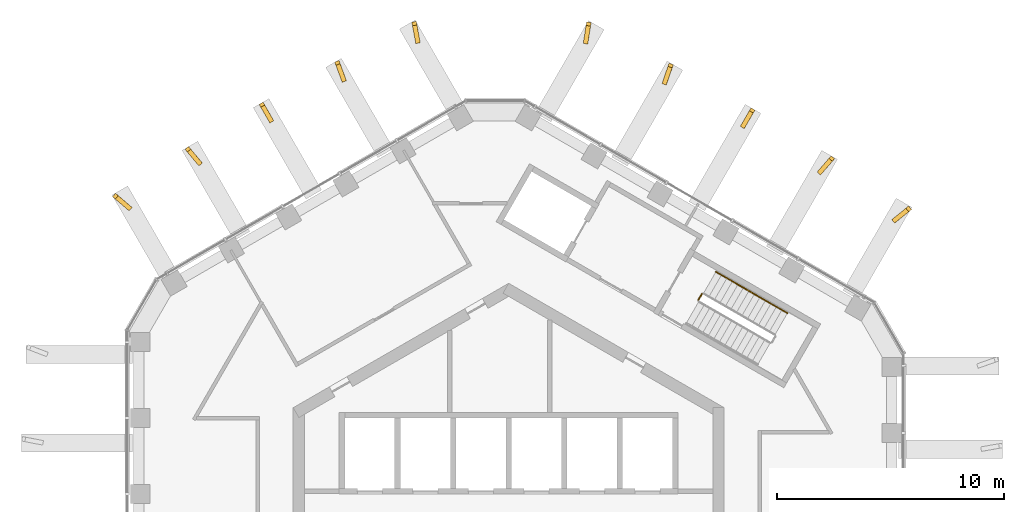
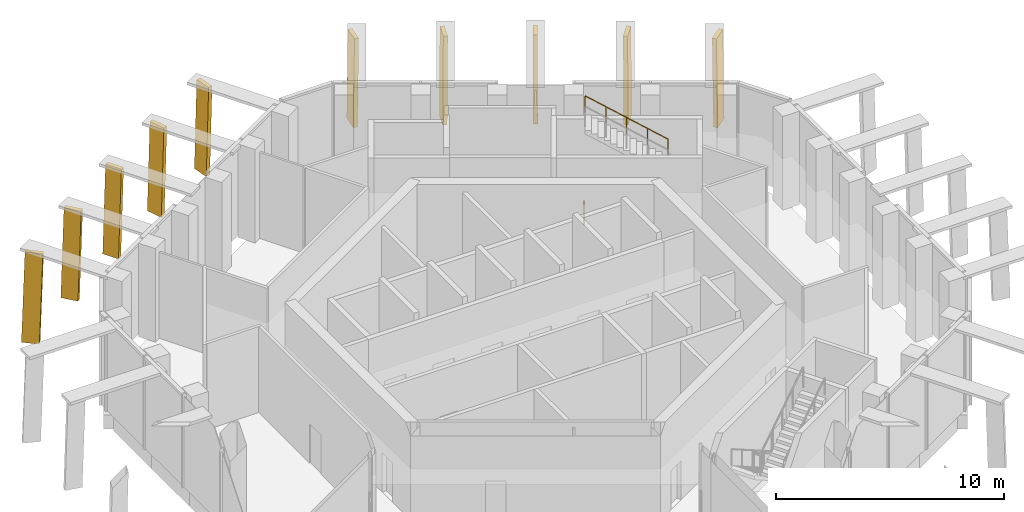
# One storey, part 17 of 17: 10 shading devices, 3 railings.
"""IFC4 building model written with IfcOpenShell, lengths in metres."""

from ifc_helpers import new_model, si_unit, direction, frame, origin, origin_2d, place, context, subcontext, project, spatial, polyline, circle, outline, extrude, material, layer, layer_set, type_object, element, save


model = new_model("IFC4")

# Units and contexts
model_context = context("Model", 3, precision=1e-05, world=origin(), true_north=direction((0.0, 1.0)))
body_context = subcontext(model_context, "Body", "Model", "MODEL_VIEW")
ifc_project = project(units=[si_unit("LENGTHUNIT", "METRE"), si_unit("AREAUNIT", "SQUARE_METRE"), si_unit("VOLUMEUNIT", "CUBIC_METRE"), si_unit("PLANEANGLEUNIT", "RADIAN"), si_unit("MASSUNIT", "GRAM", prefix="KILO")], contexts=[model_context])

# Site, building, storey
site_placement = place(None, origin())
site = spatial("IfcSite", under=ifc_project, at=site_placement, CompositionType="ELEMENT")
building_placement = place(site_placement, origin())
building = spatial("IfcBuilding", under=site, at=building_placement, Name="Ayvan Gate Tower", CompositionType="ELEMENT")
storey_placement = place(building_placement, frame((0.0, 0.0, 252.89990234375)))
storey = spatial("IfcBuildingStorey", under=building, at=storey_placement, Name="L68", CompositionType="ELEMENT", Elevation=252.89990234375)

# Shading devices
ifc_material_1 = material(Name="Bronze anodised aluminium", Category="aluminium")
ifc_layer = layer(ifc_material_1, 0.199951171875)
ifc_layer_set = layer_set([ifc_layer], Name="Bronze anodised aluminium")
shading_device_type = type_object("IfcShadingDeviceType", Name="Crown frame rib 800 x 200", PredefinedType="USERDEFINED", material=ifc_layer_set)
shading_device_1_placement = place(storey_placement, frame((-3.927734375, 21.730712890625, 0.0), z_axis=(0.983236393714, 0.182335116463, 0.000315247929), x_axis=(-0.182335125509, 0.983236442574, -4.7296e-08)))
element("IfcShadingDevice", 1, at=shading_device_1_placement, inside=storey, type_object=shading_device_type, Name="CROWN FRAME rib FR06.3.1", ObjectType="FIN", PredefinedType="USERDEFINED", context=body_context, shape_type="SweptSolid", body=[
    extrude(outline(polyline([(0.0, 0.0), (0.8000102265386639, 0.0), (0.6411535289483498, 4.850097927578444), (-0.15890121300181534, 4.850097851901716), (0.0, 0.0)])), origin(), (0.0, 0.0, -1.0), 0.199951171875),
])
shading_device_2_placement = place(storey_placement, frame((-7.205078125, 20.0400390625, 0.0), z_axis=(0.939445408306, 0.342698454938, 0.000306261679), x_axis=(-0.342698471006, 0.939445452366, -1.6012e-08)))
element("IfcShadingDevice", 2, at=shading_device_2_placement, inside=storey, type_object=shading_device_type, Name="CROWN FRAME rib FR06.3.2", ObjectType="FIN", PredefinedType="USERDEFINED", context=body_context, shape_type="SweptSolid", body=[
    extrude(outline(polyline([(0.0, 0.0), (0.8001471998957518, 0.0), (0.6520543756793928, 4.8500978941511015), (-0.14786346741646492, 4.850097868530895), (0.0, 0.0)])), origin(), (0.0, 0.0, -1.0), 0.199951171875),
])
shading_device_3_placement = place(storey_placement, frame((-10.42919921875, 18.263916015625, 0.0), z_axis=(0.866028009765, 0.499995381959, 0.000322988033), x_axis=(-0.499995408051, 0.866028054931, 4.2675e-08)))
element("IfcShadingDevice", 3, at=shading_device_3_placement, inside=storey, type_object=shading_device_type, Name="CROWN FRAME rib FR06.3.3", ObjectType="FIN", PredefinedType="USERDEFINED", context=body_context, shape_type="SweptSolid", body=[
    extrude(outline(polyline([(0.0, 0.0), (0.8001172103736147, 0.0), (0.6554960452605093, 4.850097881260818), (-0.14449909592168664, 4.850097949545819), (0.0, 0.0)])), origin(), (0.0, 0.0, -1.0), 0.199951171875),
])
shading_device_4_placement = place(storey_placement, frame((-13.599609375, 16.38818359375, 0.0), z_axis=(0.766617886173, 0.642103516126, 0.000301956251), x_axis=(-0.642103545399, 0.766617921123, 0.0)))
element("IfcShadingDevice", 4, at=shading_device_4_placement, inside=storey, type_object=shading_device_type, Name="CROWN FRAME rib FR06.3.4", ObjectType="FIN", PredefinedType="USERDEFINED", context=body_context, shape_type="SweptSolid", body=[
    extrude(outline(polyline([(0.0, 0.0), (0.7999829290476004, 0.0), (0.6518497088364131, 4.850097877360093), (-0.1481332202111873, 4.850097877360093), (0.0, 0.0)])), origin(), (0.0, 0.0, -1.0), 0.199951171875),
])
shading_device_5_placement = place(storey_placement, frame((-16.7255859375, 14.4189453125, 0.0), z_axis=(0.649546464349, 0.760321830362, 0.000323922366), x_axis=(-0.760321870252, 0.649546498425, 5.476e-09)))
element("IfcShadingDevice", 5, at=shading_device_5_placement, inside=storey, type_object=shading_device_type, Name="CROWN FRAME rib FR06.3.5", ObjectType="FIN", PredefinedType="USERDEFINED", context=body_context, shape_type="SweptSolid", body=[
    extrude(outline(polyline([(0.0, 0.0), (0.7998527166617821, 2.710505431213761e-20), (0.6411823156706561, 4.850097907188681), (-0.15901460713582266, 4.850097915950972), (0.0, 0.0)])), origin(), (0.0, 0.0, -1.0), 0.199951171875),
])
shading_device_6_placement = place(storey_placement, frame((17.13818359375, 13.7197265625, 0.0), z_axis=(0.628447192503, -0.777852195286, 0.000297529976), x_axis=(0.77785222971, 0.628447220326, 2.8539e-08)))
element("IfcShadingDevice", 6, at=shading_device_6_placement, inside=storey, type_object=shading_device_type, Name="CROWN FRAME rib FR06.2.1", ObjectType="FIN", PredefinedType="USERDEFINED", context=body_context, shape_type="SweptSolid", body=[
    extrude(outline(polyline([(0.0, 0.0), (0.7997901142460524, 1.3552527156068805e-20), (0.6427061677237937, 4.850097852583277), (-0.1572738518517777, 4.8500978982385705), (0.0, 0.0)])), origin(), (0.0, 0.0, -1.0), 0.199951171875),
])
shading_device_7_placement = place(storey_placement, frame((13.843505859375, 15.853271484375, 0.0), z_axis=(0.756363137367, -0.654151902588, 0.000304585981), x_axis=(0.654151932932, 0.756363172452, 0.0)))
element("IfcShadingDevice", 7, at=shading_device_7_placement, inside=storey, type_object=shading_device_type, Name="CROWN FRAME rib FR06.2.2", ObjectType="FIN", PredefinedType="USERDEFINED", context=body_context, shape_type="SweptSolid", body=[
    extrude(outline(polyline([(0.0, 0.0), (0.8001772579868609, 0.0), (0.6555842877041624, 4.850097881228148), (-0.14459297028269852, 4.850097881228148), (0.0, 0.0)])), origin(), (0.0, 0.0, -1.0), 0.199951171875),
])
shading_device_8_placement = place(storey_placement, frame((10.455078125, 17.908935546875, 0.0), z_axis=(0.866094075977, -0.499880936029, 0.000318358045), x_axis=(0.499880961361, 0.866094119867, 0.0)))
element("IfcShadingDevice", 8, at=shading_device_8_placement, inside=storey, type_object=shading_device_type, Name="CROWN FRAME rib FR06.2.3", ObjectType="FIN", PredefinedType="USERDEFINED", context=body_context, shape_type="SweptSolid", body=[
    extrude(outline(polyline([(0.0, 0.0), (0.7999951481672026, 0.0), (0.659569925751892, 4.850097902033191), (-0.14042522241531066, 4.850097902033191), (0.0, 0.0)])), origin(), (0.0, 0.0, -1.0), 0.199951171875),
])
shading_device_9_placement = place(storey_placement, frame((6.996337890625, 19.85009765625, 0.0), z_axis=(0.944751743707, -0.327786584636, 0.000312560546), x_axis=(0.327786600652, 0.944751789854, -1.5637e-08)))
element("IfcShadingDevice", 9, at=shading_device_9_placement, inside=storey, type_object=shading_device_type, Name="CROWN FRAME rib FR06.2.4", ObjectType="FIN", PredefinedType="USERDEFINED", context=body_context, shape_type="SweptSolid", body=[
    extrude(outline(polyline([(0.0, 0.0), (0.799816796557489, 0.0), (0.6553381887162314, 4.85009790341029), (-0.14470926013370256, 4.850097878393705), (0.0, 0.0)])), origin(), (0.0, 0.0, -1.0), 0.199951171875),
])
shading_device_10_placement = place(storey_placement, frame((3.510009765625, 21.6708984375, 0.0), z_axis=(0.987861696936, -0.155335682342, 0.000305807993), x_axis=(0.155335689605, 0.987861743127, 0.0)))
element("IfcShadingDevice", 10, at=shading_device_10_placement, inside=storey, type_object=shading_device_type, Name="CROWN FRAME rib FR06.2.5", ObjectType="FIN", PredefinedType="USERDEFINED", context=body_context, shape_type="SweptSolid", body=[
    extrude(outline(polyline([(0.0, 0.0), (0.7999937325470513, 0.0), (0.6428263033517131, 4.850097883037014), (-0.15716742919533816, 4.850097883037014), (0.0, 0.0)])), origin(), (0.0, 0.0, -1.0), 0.199951171875),
])

# Railings
ifc_material_2 = material(Name="Stainless steel balustrade", Category="steel")
railing_type_1 = type_object("IfcRailingType", Name="RL-GUARD-1100", PredefinedType="GUARDRAIL", material=ifc_material_2)
railing_placement = place(storey_placement, frame((8.36279296875, 10.23486328125, 0.0)))
element("IfcRailing", 11, at=railing_placement, inside=storey, type_object=railing_type_1, Name="L68 STS1 stair guard 4", PredefinedType="GUARDRAIL", context=body_context, shape_type="SweptSolid", body=[
    extrude(circle(Radius=0.02392578125, at=origin_2d()), frame((0.0, 0.0, 1.076171875), z_axis=(0.500290723946, 0.86585748916, 0.0), x_axis=(-0.86585748916, 0.500290723946, 0.0)), (0.0, 0.0, 1.0), 0.309814453125),
    extrude(circle(Radius=0.02099609375, at=origin_2d()), origin(), (0.0, 0.0, 1.0), 1.052001953125),
    extrude(circle(Radius=0.02099609375, at=origin_2d()), frame((0.155029296875, 0.268310546875, 0.0)), (0.0, 0.0, 1.0), 1.052001953125),
])
railing_type_2 = type_object("IfcRailingType", Name="RL-HANDRAIL-900", PredefinedType="HANDRAIL", material=ifc_material_2)
for number, where, name in (
    (12, (12.288330078125, 9.654296875, 2.6787109375), "L68 STS1 stair handrail 3"),
    (13, (10.712158203125, 10.564208984375, 3.83935546875), "L68 STS1 stair handrail 4"),
):
    element("IfcRailing", number, at=place(storey_placement, frame(where)), inside=storey, type_object=railing_type_2, Name=name, PredefinedType="HANDRAIL", context=body_context, shape_type="SweptSolid", body=[
        extrude(circle(Radius=0.02392578125, at=origin_2d()), frame((0.0, 0.0, 0.8759765625), z_axis=(-0.730198170753, 0.42153788451, 0.537695493148), x_axis=(-0.499962438169, -0.866047089031, 0.0)), (0.0, 0.0, 1.0), 2.158447265625),
        extrude(circle(Radius=0.02099609375, at=origin_2d()), origin(), (0.0, 0.0, 1.0), 0.851806640625),
        extrude(circle(Radius=0.02099609375, at=origin_2d()), frame((-0.7880859375, 0.455078125, 0.580322265625)), (0.0, 0.0, 1.0), 0.851806640625),
        extrude(circle(Radius=0.02099609375, at=origin_2d()), frame((-1.576171875, 0.909912109375, 1.16064453125)), (0.0, 0.0, 1.0), 0.851806640625),
    ])

save(model, "model.ifc")
